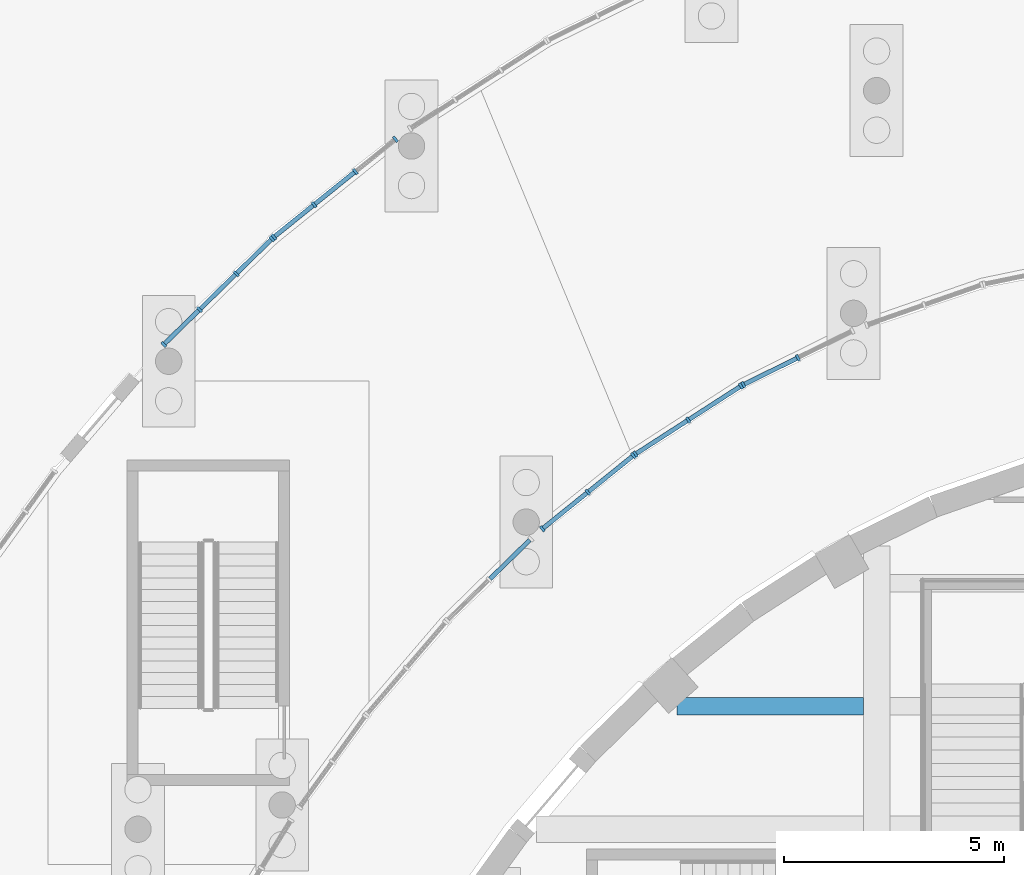
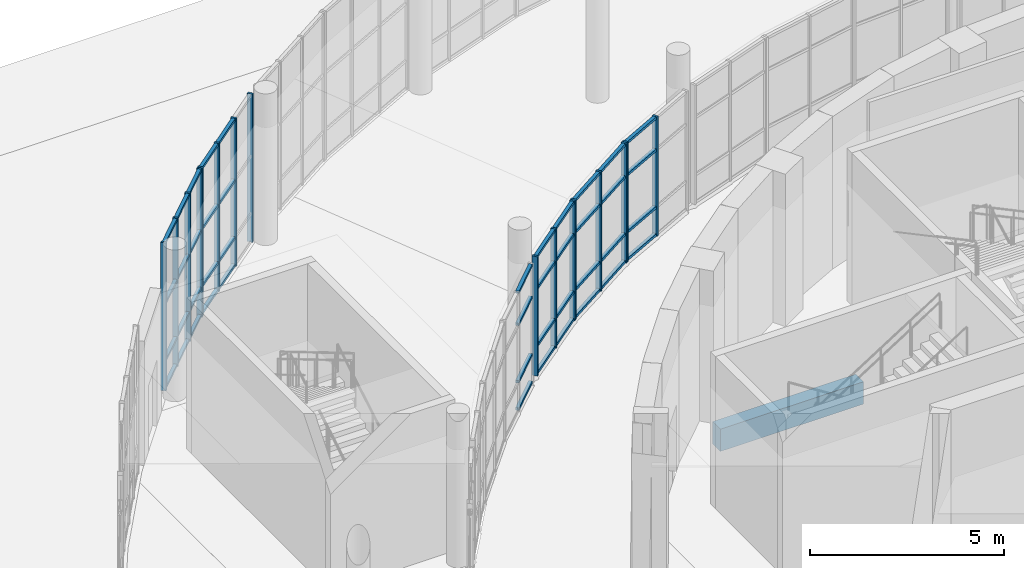
# One storey, part 29 of 110: 60 members, 1 beam, 6 elements without a shape of their own.
"""IFC4 building model written with IfcOpenShell, lengths in metres."""

from ifc_helpers import new_model, si_unit, direction, frame, origin, origin_2d, place, context, subcontext, project, spatial, rectangle, extrude, material, layer, layer_set, material_profile, profile_set, type_object, element, aggregate, save


model = new_model("IFC4")

# Units and contexts
model_context = context("Model", 3, precision=1e-05, world=origin(), true_north=direction((0.0, 1.0)))
body_context = subcontext(model_context, "Body", "Model", "MODEL_VIEW")
ifc_project = project(units=[si_unit("LENGTHUNIT", "METRE"), si_unit("AREAUNIT", "SQUARE_METRE"), si_unit("VOLUMEUNIT", "CUBIC_METRE"), si_unit("PLANEANGLEUNIT", "RADIAN"), si_unit("MASSUNIT", "GRAM", prefix="KILO")], contexts=[model_context])

# Site, building, storey
site_placement = place(None, origin())
site = spatial("IfcSite", under=ifc_project, at=site_placement, CompositionType="ELEMENT")
building_placement = place(site_placement, origin())
building = spatial("IfcBuilding", under=site, at=building_placement, Name="Larchfold Concert Hall", CompositionType="ELEMENT")
storey_placement = place(building_placement, origin())
storey = spatial("IfcBuildingStorey", under=building, at=storey_placement, Name="L00", CompositionType="ELEMENT", Elevation=0.0)

# Curtain wall, members
ifc_material_1 = material(Name="Anodised graphite aluminium curtain wall", Category="aluminium")
ifc_layer = layer(ifc_material_1, 0.14990234375)
ifc_layer_set = layer_set([ifc_layer], Name="Anodised graphite aluminium curtain wall")
curtain_wall_type = type_object("IfcCurtainWallType", Name="Curtain wall WG", PredefinedType="NOTDEFINED", material=ifc_layer_set)
curtain_wall_1_placement = place(storey_placement, origin())
curtain_wall_1 = element("IfcCurtainWall", 1, at=curtain_wall_1_placement, inside=storey, type_object=curtain_wall_type, Name="Curtain wall CW0084", PredefinedType="NOTDEFINED")
ifc_material_2 = material(Name="Anodised graphite aluminium mullion", Category="aluminium")
ifc_material_profile_1 = material_profile(ifc_material_2, rectangle(XDim=0.14990234375, YDim=0.06005859375, at=origin_2d()))
ifc_profile_set_1 = profile_set([ifc_material_profile_1], Name="Anodised graphite aluminium mullion")
member_type_1 = type_object("IfcMemberType", Name="Aluminium mullion 60x150", PredefinedType="MULLION", material=ifc_profile_set_1)
member_1_placement = place(storey_placement, frame((26.596435546875, 116.6328125, 0.0), z_axis=(0.0, 0.0, 1.0), x_axis=(-0.626938911007, 0.779068419245, 0.0)))
member_1 = element("IfcMember", 2, at=member_1_placement, type_object=member_type_1, Name="CW0084 mullion 1", PredefinedType="MULLION", context=body_context, shape_type="SweptSolid", body=[
    extrude(rectangle(XDim=0.14990234375, YDim=0.06005859375, at=origin_2d()), origin(), (0.0, 0.0, 1.0), 3.75),
])
member_2_placement = place(storey_placement, frame((27.63134765625, 117.465576171875, 0.0), z_axis=(0.0, 0.0, 1.0), x_axis=(-0.626938911007, 0.779068419245, 0.0)))
member_2 = element("IfcMember", 3, at=member_2_placement, type_object=member_type_1, Name="CW0084 mullion 2", PredefinedType="MULLION", context=body_context, shape_type="SweptSolid", body=[
    extrude(rectangle(XDim=0.14990234375, YDim=0.06005859375, at=origin_2d()), origin(), (0.0, 0.0, 1.0), 3.75),
])
member_3_placement = place(storey_placement, frame((28.666259765625, 118.298583984375, 0.0), z_axis=(0.0, 0.0, 1.0), x_axis=(-0.626938911007, 0.779068419245, 0.0)))
member_3 = element("IfcMember", 4, at=member_3_placement, type_object=member_type_1, Name="CW0084 mullion 3", PredefinedType="MULLION", context=body_context, shape_type="SweptSolid", body=[
    extrude(rectangle(XDim=0.14990234375, YDim=0.06005859375, at=origin_2d()), origin(), (0.0, 0.0, 1.0), 3.75),
])

curtain_wall_2_placement = place(storey_placement, origin())
curtain_wall_2 = element("IfcCurtainWall", 5, at=curtain_wall_2_placement, inside=storey, type_object=curtain_wall_type, Name="Curtain wall CW0085", PredefinedType="NOTDEFINED")
member_4_placement = place(storey_placement, frame((28.71484375, 118.333740234375, 0.0), z_axis=(0.0, 0.0, 1.0), x_axis=(-0.541844610619, 0.840478683813, 0.0)))
member_4 = element("IfcMember", 6, at=member_4_placement, type_object=member_type_1, Name="CW0085 mullion 1", PredefinedType="MULLION", context=body_context, shape_type="SweptSolid", body=[
    extrude(rectangle(XDim=0.14990234375, YDim=0.06005859375, at=origin_2d()), origin(), (0.0, 0.0, 1.0), 3.75),
])
member_5_placement = place(storey_placement, frame((29.915283203125, 119.107421875, 0.0), z_axis=(0.0, 0.0, 1.0), x_axis=(-0.541844610619, 0.840478683813, 0.0)))
member_5 = element("IfcMember", 7, at=member_5_placement, type_object=member_type_1, Name="CW0085 mullion 2", PredefinedType="MULLION", context=body_context, shape_type="SweptSolid", body=[
    extrude(rectangle(XDim=0.14990234375, YDim=0.06005859375, at=origin_2d()), origin(), (0.0, 0.0, 1.0), 3.75),
])
member_6_placement = place(storey_placement, frame((31.115478515625, 119.881103515625, 0.0), z_axis=(0.0, 0.0, 1.0), x_axis=(-0.541844610619, 0.840478683813, 0.0)))
member_6 = element("IfcMember", 8, at=member_6_placement, type_object=member_type_1, Name="CW0085 mullion 3", PredefinedType="MULLION", context=body_context, shape_type="SweptSolid", body=[
    extrude(rectangle(XDim=0.14990234375, YDim=0.06005859375, at=origin_2d()), origin(), (0.0, 0.0, 1.0), 3.75),
])

curtain_wall_3_placement = place(storey_placement, origin())
curtain_wall_3 = element("IfcCurtainWall", 9, at=curtain_wall_3_placement, inside=storey, type_object=curtain_wall_type, Name="Curtain wall CW0086", PredefinedType="NOTDEFINED")
member_7_placement = place(storey_placement, frame((31.16748046875, 119.91064453125, 0.0), z_axis=(0.0, 0.0, 1.0), x_axis=(-0.442304846598, 0.896864773907, 0.0)))
member_7 = element("IfcMember", 10, at=member_7_placement, type_object=member_type_1, Name="CW0086 mullion 1", PredefinedType="MULLION", context=body_context, shape_type="SweptSolid", body=[
    extrude(rectangle(XDim=0.14990234375, YDim=0.06005859375, at=origin_2d()), origin(), (0.0, 0.0, 1.0), 3.75),
])
member_8_placement = place(storey_placement, frame((32.4091796875, 120.52294921875, 0.0), z_axis=(0.0, 0.0, 1.0), x_axis=(-0.442304846598, 0.896864773907, 0.0)))
member_8 = element("IfcMember", 11, at=member_8_placement, type_object=member_type_1, Name="CW0086 mullion 2", PredefinedType="MULLION", context=body_context, shape_type="SweptSolid", body=[
    extrude(rectangle(XDim=0.14990234375, YDim=0.06005859375, at=origin_2d()), origin(), (0.0, 0.0, 1.0), 3.75),
])

curtain_wall_4_placement = place(storey_placement, origin())
curtain_wall_4 = element("IfcCurtainWall", 12, at=curtain_wall_4_placement, inside=storey, type_object=curtain_wall_type, Name="Curtain wall CW0106", PredefinedType="NOTDEFINED")
member_9_placement = place(storey_placement, frame((23.254150390625, 125.49560546875, 0.0), z_axis=(0.0, 0.0, 1.0), x_axis=(0.626986369334, -0.779030225774, 0.0)))
member_9 = element("IfcMember", 13, at=member_9_placement, type_object=member_type_1, Name="CW0106 mullion 1", PredefinedType="MULLION", context=body_context, shape_type="SweptSolid", body=[
    extrude(rectangle(XDim=0.14990234375, YDim=0.06005859375, at=origin_2d()), origin(), (0.0, 0.0, 1.0), 4.64990234375),
])
member_10_placement = place(storey_placement, frame((22.340576171875, 124.76025390625, 0.0), z_axis=(0.0, 0.0, 1.0), x_axis=(0.626986369334, -0.779030225774, 0.0)))
member_10 = element("IfcMember", 14, at=member_10_placement, type_object=member_type_1, Name="CW0106 mullion 2", PredefinedType="MULLION", context=body_context, shape_type="SweptSolid", body=[
    extrude(rectangle(XDim=0.14990234375, YDim=0.06005859375, at=origin_2d()), origin(), (0.0, 0.0, 1.0), 4.64990234375),
])
member_11_placement = place(storey_placement, frame((21.40380859375, 124.00634765625, 0.0), z_axis=(0.0, 0.0, 1.0), x_axis=(0.626986369334, -0.779030225774, 0.0)))
member_11 = element("IfcMember", 15, at=member_11_placement, type_object=member_type_1, Name="CW0106 mullion 3", PredefinedType="MULLION", context=body_context, shape_type="SweptSolid", body=[
    extrude(rectangle(XDim=0.14990234375, YDim=0.06005859375, at=origin_2d()), origin(), (0.0, 0.0, 1.0), 4.64990234375),
])
member_12_placement = place(storey_placement, frame((20.490234375, 123.27099609375, 0.0), z_axis=(0.0, 0.0, 1.0), x_axis=(0.626986369334, -0.779030225774, 0.0)))
member_12 = element("IfcMember", 16, at=member_12_placement, type_object=member_type_1, Name="CW0106 mullion 4", PredefinedType="MULLION", context=body_context, shape_type="SweptSolid", body=[
    extrude(rectangle(XDim=0.14990234375, YDim=0.06005859375, at=origin_2d()), origin(), (0.0, 0.0, 1.0), 4.64990234375),
])

curtain_wall_5_placement = place(storey_placement, origin())
curtain_wall_5 = element("IfcCurtainWall", 17, at=curtain_wall_5_placement, inside=storey, type_object=curtain_wall_type, Name="Curtain wall CW0107", PredefinedType="NOTDEFINED")
member_13_placement = place(storey_placement, frame((20.4453125, 123.231201171875, 0.0), z_axis=(0.0, 0.0, 1.0), x_axis=(0.699178664074, -0.714946988038, 0.0)))
member_13 = element("IfcMember", 18, at=member_13_placement, type_object=member_type_1, Name="CW0107 mullion 1", PredefinedType="MULLION", context=body_context, shape_type="SweptSolid", body=[
    extrude(rectangle(XDim=0.14990234375, YDim=0.06005859375, at=origin_2d()), origin(), (0.0, 0.0, 1.0), 4.64990234375),
])
member_14_placement = place(storey_placement, frame((19.6328125, 122.436767578125, 0.0), z_axis=(0.0, 0.0, 1.0), x_axis=(0.699178664074, -0.714946988038, 0.0)))
member_14 = element("IfcMember", 19, at=member_14_placement, type_object=member_type_1, Name="CW0107 mullion 2", PredefinedType="MULLION", context=body_context, shape_type="SweptSolid", body=[
    extrude(rectangle(XDim=0.14990234375, YDim=0.06005859375, at=origin_2d()), origin(), (0.0, 0.0, 1.0), 4.64990234375),
])
member_15_placement = place(storey_placement, frame((18.799072265625, 121.62109375, 0.0), z_axis=(0.0, 0.0, 1.0), x_axis=(0.699178664074, -0.714946988038, 0.0)))
member_15 = element("IfcMember", 20, at=member_15_placement, type_object=member_type_1, Name="CW0107 mullion 3", PredefinedType="MULLION", context=body_context, shape_type="SweptSolid", body=[
    extrude(rectangle(XDim=0.14990234375, YDim=0.06005859375, at=origin_2d()), origin(), (0.0, 0.0, 1.0), 4.64990234375),
])
member_16_placement = place(storey_placement, frame((17.986572265625, 120.82666015625, 0.0), z_axis=(0.0, 0.0, 1.0), x_axis=(0.699178664074, -0.714946988038, 0.0)))
member_16 = element("IfcMember", 21, at=member_16_placement, type_object=member_type_1, Name="CW0107 mullion 4", PredefinedType="MULLION", context=body_context, shape_type="SweptSolid", body=[
    extrude(rectangle(XDim=0.14990234375, YDim=0.06005859375, at=origin_2d()), origin(), (0.0, 0.0, 1.0), 4.64990234375),
])

curtain_wall_6_placement = place(storey_placement, origin())
curtain_wall_6 = element("IfcCurtainWall", 22, at=curtain_wall_6_placement, inside=storey, type_object=curtain_wall_type, Name="Curtain wall CW0083", PredefinedType="NOTDEFINED")
ifc_material_3 = material(Name="Anodised graphite aluminium transom", Category="aluminium")
ifc_material_profile_2 = material_profile(ifc_material_3, rectangle(XDim=0.10009765625, YDim=0.080078125, at=origin_2d()))
ifc_profile_set_2 = profile_set([ifc_material_profile_2], Name="Anodised graphite aluminium transom")
member_type_2 = type_object("IfcMemberType", Name="Aluminium transom 80x100", PredefinedType="USERDEFINED", material=ifc_profile_set_2)
member_17_placement = place(storey_placement, frame((25.408203125, 115.496337890625, 0.0400390625), z_axis=(0.714972379402, 0.699152699124, 0.0), x_axis=(-0.699152699124, 0.714972379402, 0.0)))
member_17 = element("IfcMember", 23, at=member_17_placement, type_object=member_type_2, Name="CW0083 transom 2.1", ObjectType="TRANSOM", PredefinedType="USERDEFINED", context=body_context, shape_type="SweptSolid", body=[
    extrude(rectangle(XDim=0.10009765625, YDim=0.080078125, at=origin_2d()), origin(), (0.0, 0.0, 1.0), 1.265380859375),
])
member_18_placement = place(storey_placement, frame((25.408203125, 115.496337890625, 0.89990234375), z_axis=(0.714972379402, 0.699152699124, 0.0), x_axis=(-0.699152699124, 0.714972379402, 0.0)))
member_18 = element("IfcMember", 24, at=member_18_placement, type_object=member_type_2, Name="CW0083 transom 2.2", ObjectType="TRANSOM", PredefinedType="USERDEFINED", context=body_context, shape_type="SweptSolid", body=[
    extrude(rectangle(XDim=0.10009765625, YDim=0.080078125, at=origin_2d()), origin(), (0.0, 0.0, 1.0), 1.265380859375),
])
member_19_placement = place(storey_placement, frame((25.408203125, 115.496337890625, 2.699951171875), z_axis=(0.714972379402, 0.699152699124, 0.0), x_axis=(-0.699152699124, 0.714972379402, 0.0)))
member_19 = element("IfcMember", 25, at=member_19_placement, type_object=member_type_2, Name="CW0083 transom 2.3", ObjectType="TRANSOM", PredefinedType="USERDEFINED", context=body_context, shape_type="SweptSolid", body=[
    extrude(rectangle(XDim=0.10009765625, YDim=0.080078125, at=origin_2d()), origin(), (0.0, 0.0, 1.0), 1.265380859375),
])
member_20_placement = place(storey_placement, frame((25.408203125, 115.496337890625, 3.7099609375), z_axis=(0.714972379402, 0.699152699124, 0.0), x_axis=(-0.699152699124, 0.714972379402, 0.0)))
member_20 = element("IfcMember", 26, at=member_20_placement, type_object=member_type_2, Name="CW0083 transom 2.4", ObjectType="TRANSOM", PredefinedType="USERDEFINED", context=body_context, shape_type="SweptSolid", body=[
    extrude(rectangle(XDim=0.10009765625, YDim=0.080078125, at=origin_2d()), origin(), (0.0, 0.0, 1.0), 1.265380859375),
])
aggregate(curtain_wall_6, [member_17, member_18, member_19, member_20])

# Member
member_21_placement = place(storey_placement, frame((26.61962890625, 116.651611328125, 0.0400390625), z_axis=(0.779119443181, 0.626875500603, 0.0), x_axis=(-0.626875500603, 0.779119443181, 0.0)))
member_21 = element("IfcMember", 27, at=member_21_placement, type_object=member_type_2, Name="CW0084 transom 1.1", ObjectType="TRANSOM", PredefinedType="USERDEFINED", context=body_context, shape_type="SweptSolid", body=[
    extrude(rectangle(XDim=0.10009765625, YDim=0.080078125, at=origin_2d()), origin(), (0.0, 0.0, 1.0), 1.2685546875),
])

member_22_placement = place(storey_placement, frame((26.61962890625, 116.651611328125, 0.89990234375), z_axis=(0.779119443181, 0.626875500603, 0.0), x_axis=(-0.626875500603, 0.779119443181, 0.0)))
member_22 = element("IfcMember", 28, at=member_22_placement, type_object=member_type_2, Name="CW0084 transom 1.2", ObjectType="TRANSOM", PredefinedType="USERDEFINED", context=body_context, shape_type="SweptSolid", body=[
    extrude(rectangle(XDim=0.10009765625, YDim=0.080078125, at=origin_2d()), origin(), (0.0, 0.0, 1.0), 1.2685546875),
])

member_23_placement = place(storey_placement, frame((26.61962890625, 116.651611328125, 2.699951171875), z_axis=(0.779119443181, 0.626875500603, 0.0), x_axis=(-0.626875500603, 0.779119443181, 0.0)))
member_23 = element("IfcMember", 29, at=member_23_placement, type_object=member_type_2, Name="CW0084 transom 1.3", ObjectType="TRANSOM", PredefinedType="USERDEFINED", context=body_context, shape_type="SweptSolid", body=[
    extrude(rectangle(XDim=0.10009765625, YDim=0.080078125, at=origin_2d()), origin(), (0.0, 0.0, 1.0), 1.2685546875),
])

member_24_placement = place(storey_placement, frame((26.61962890625, 116.651611328125, 3.7099609375), z_axis=(0.779119443181, 0.626875500603, 0.0), x_axis=(-0.626875500603, 0.779119443181, 0.0)))
member_24 = element("IfcMember", 30, at=member_24_placement, type_object=member_type_2, Name="CW0084 transom 1.4", ObjectType="TRANSOM", PredefinedType="USERDEFINED", context=body_context, shape_type="SweptSolid", body=[
    extrude(rectangle(XDim=0.10009765625, YDim=0.080078125, at=origin_2d()), origin(), (0.0, 0.0, 1.0), 1.2685546875),
])

member_25_placement = place(storey_placement, frame((27.65478515625, 117.484619140625, 0.0400390625), z_axis=(0.779119443181, 0.626875500603, 0.0), x_axis=(-0.626875500603, 0.779119443181, 0.0)))
member_25 = element("IfcMember", 31, at=member_25_placement, type_object=member_type_2, Name="CW0084 transom 2.1", ObjectType="TRANSOM", PredefinedType="USERDEFINED", context=body_context, shape_type="SweptSolid", body=[
    extrude(rectangle(XDim=0.10009765625, YDim=0.080078125, at=origin_2d()), origin(), (0.0, 0.0, 1.0), 1.2685546875),
])

member_26_placement = place(storey_placement, frame((27.65478515625, 117.484619140625, 0.89990234375), z_axis=(0.779119443181, 0.626875500603, 0.0), x_axis=(-0.626875500603, 0.779119443181, 0.0)))
member_26 = element("IfcMember", 32, at=member_26_placement, type_object=member_type_2, Name="CW0084 transom 2.2", ObjectType="TRANSOM", PredefinedType="USERDEFINED", context=body_context, shape_type="SweptSolid", body=[
    extrude(rectangle(XDim=0.10009765625, YDim=0.080078125, at=origin_2d()), origin(), (0.0, 0.0, 1.0), 1.2685546875),
])

member_27_placement = place(storey_placement, frame((27.65478515625, 117.484619140625, 2.699951171875), z_axis=(0.779119443181, 0.626875500603, 0.0), x_axis=(-0.626875500603, 0.779119443181, 0.0)))
member_27 = element("IfcMember", 33, at=member_27_placement, type_object=member_type_2, Name="CW0084 transom 2.3", ObjectType="TRANSOM", PredefinedType="USERDEFINED", context=body_context, shape_type="SweptSolid", body=[
    extrude(rectangle(XDim=0.10009765625, YDim=0.080078125, at=origin_2d()), origin(), (0.0, 0.0, 1.0), 1.2685546875),
])

member_28_placement = place(storey_placement, frame((27.65478515625, 117.484619140625, 3.7099609375), z_axis=(0.779119443181, 0.626875500603, 0.0), x_axis=(-0.626875500603, 0.779119443181, 0.0)))
member_28 = element("IfcMember", 34, at=member_28_placement, type_object=member_type_2, Name="CW0084 transom 2.4", ObjectType="TRANSOM", PredefinedType="USERDEFINED", context=body_context, shape_type="SweptSolid", body=[
    extrude(rectangle(XDim=0.10009765625, YDim=0.080078125, at=origin_2d()), origin(), (0.0, 0.0, 1.0), 1.2685546875),
])

aggregate(curtain_wall_1, [member_1, member_2, member_3, member_21, member_22, member_23, member_24, member_25, member_26, member_27, member_28])

member_29_placement = place(storey_placement, frame((28.740234375, 118.349853515625, 0.0400390625), z_axis=(0.840464466125, 0.541866663656, 0.0), x_axis=(-0.541866663656, 0.840464466125, 0.0)))
member_29 = element("IfcMember", 35, at=member_29_placement, type_object=member_type_2, Name="CW0085 transom 1.1", ObjectType="TRANSOM", PredefinedType="USERDEFINED", context=body_context, shape_type="SweptSolid", body=[
    extrude(rectangle(XDim=0.10009765625, YDim=0.080078125, at=origin_2d()), origin(), (0.0, 0.0, 1.0), 1.367919921875),
])

member_30_placement = place(storey_placement, frame((28.740234375, 118.349853515625, 0.89990234375), z_axis=(0.840464466125, 0.541866663656, 0.0), x_axis=(-0.541866663656, 0.840464466125, 0.0)))
member_30 = element("IfcMember", 36, at=member_30_placement, type_object=member_type_2, Name="CW0085 transom 1.2", ObjectType="TRANSOM", PredefinedType="USERDEFINED", context=body_context, shape_type="SweptSolid", body=[
    extrude(rectangle(XDim=0.10009765625, YDim=0.080078125, at=origin_2d()), origin(), (0.0, 0.0, 1.0), 1.367919921875),
])

member_31_placement = place(storey_placement, frame((28.740234375, 118.349853515625, 2.699951171875), z_axis=(0.840464466125, 0.541866663656, 0.0), x_axis=(-0.541866663656, 0.840464466125, 0.0)))
member_31 = element("IfcMember", 37, at=member_31_placement, type_object=member_type_2, Name="CW0085 transom 1.3", ObjectType="TRANSOM", PredefinedType="USERDEFINED", context=body_context, shape_type="SweptSolid", body=[
    extrude(rectangle(XDim=0.10009765625, YDim=0.080078125, at=origin_2d()), origin(), (0.0, 0.0, 1.0), 1.367919921875),
])

member_32_placement = place(storey_placement, frame((28.740234375, 118.349853515625, 3.7099609375), z_axis=(0.840464466125, 0.541866663656, 0.0), x_axis=(-0.541866663656, 0.840464466125, 0.0)))
member_32 = element("IfcMember", 38, at=member_32_placement, type_object=member_type_2, Name="CW0085 transom 1.4", ObjectType="TRANSOM", PredefinedType="USERDEFINED", context=body_context, shape_type="SweptSolid", body=[
    extrude(rectangle(XDim=0.10009765625, YDim=0.080078125, at=origin_2d()), origin(), (0.0, 0.0, 1.0), 1.367919921875),
])

member_33_placement = place(storey_placement, frame((29.9404296875, 119.123779296875, 0.0400390625), z_axis=(0.840464466125, 0.541866663656, 0.0), x_axis=(-0.541866663656, 0.840464466125, 0.0)))
member_33 = element("IfcMember", 39, at=member_33_placement, type_object=member_type_2, Name="CW0085 transom 2.1", ObjectType="TRANSOM", PredefinedType="USERDEFINED", context=body_context, shape_type="SweptSolid", body=[
    extrude(rectangle(XDim=0.10009765625, YDim=0.080078125, at=origin_2d()), origin(), (0.0, 0.0, 1.0), 1.367919921875),
])

member_34_placement = place(storey_placement, frame((29.9404296875, 119.123779296875, 0.89990234375), z_axis=(0.840464466125, 0.541866663656, 0.0), x_axis=(-0.541866663656, 0.840464466125, 0.0)))
member_34 = element("IfcMember", 40, at=member_34_placement, type_object=member_type_2, Name="CW0085 transom 2.2", ObjectType="TRANSOM", PredefinedType="USERDEFINED", context=body_context, shape_type="SweptSolid", body=[
    extrude(rectangle(XDim=0.10009765625, YDim=0.080078125, at=origin_2d()), origin(), (0.0, 0.0, 1.0), 1.367919921875),
])

member_35_placement = place(storey_placement, frame((29.9404296875, 119.123779296875, 2.699951171875), z_axis=(0.840464466125, 0.541866663656, 0.0), x_axis=(-0.541866663656, 0.840464466125, 0.0)))
member_35 = element("IfcMember", 41, at=member_35_placement, type_object=member_type_2, Name="CW0085 transom 2.3", ObjectType="TRANSOM", PredefinedType="USERDEFINED", context=body_context, shape_type="SweptSolid", body=[
    extrude(rectangle(XDim=0.10009765625, YDim=0.080078125, at=origin_2d()), origin(), (0.0, 0.0, 1.0), 1.367919921875),
])

member_36_placement = place(storey_placement, frame((29.9404296875, 119.123779296875, 3.7099609375), z_axis=(0.840464466125, 0.541866663656, 0.0), x_axis=(-0.541866663656, 0.840464466125, 0.0)))
member_36 = element("IfcMember", 42, at=member_36_placement, type_object=member_type_2, Name="CW0085 transom 2.4", ObjectType="TRANSOM", PredefinedType="USERDEFINED", context=body_context, shape_type="SweptSolid", body=[
    extrude(rectangle(XDim=0.10009765625, YDim=0.080078125, at=origin_2d()), origin(), (0.0, 0.0, 1.0), 1.367919921875),
])

aggregate(curtain_wall_2, [member_4, member_5, member_6, member_29, member_30, member_31, member_32, member_33, member_34, member_35, member_36])

member_37_placement = place(storey_placement, frame((31.1943359375, 119.924072265625, 0.0400390625), z_axis=(0.896919943894, 0.44219296042, 0.0), x_axis=(-0.44219296042, 0.896919943894, 0.0)))
member_37 = element("IfcMember", 43, at=member_37_placement, type_object=member_type_2, Name="CW0086 transom 1.1", ObjectType="TRANSOM", PredefinedType="USERDEFINED", context=body_context, shape_type="SweptSolid", body=[
    extrude(rectangle(XDim=0.10009765625, YDim=0.080078125, at=origin_2d()), origin(), (0.0, 0.0, 1.0), 1.324462890625),
])

member_38_placement = place(storey_placement, frame((31.1943359375, 119.924072265625, 0.89990234375), z_axis=(0.896919943894, 0.44219296042, 0.0), x_axis=(-0.44219296042, 0.896919943894, 0.0)))
member_38 = element("IfcMember", 44, at=member_38_placement, type_object=member_type_2, Name="CW0086 transom 1.2", ObjectType="TRANSOM", PredefinedType="USERDEFINED", context=body_context, shape_type="SweptSolid", body=[
    extrude(rectangle(XDim=0.10009765625, YDim=0.080078125, at=origin_2d()), origin(), (0.0, 0.0, 1.0), 1.324462890625),
])

member_39_placement = place(storey_placement, frame((31.1943359375, 119.924072265625, 2.699951171875), z_axis=(0.896919943894, 0.44219296042, 0.0), x_axis=(-0.44219296042, 0.896919943894, 0.0)))
member_39 = element("IfcMember", 45, at=member_39_placement, type_object=member_type_2, Name="CW0086 transom 1.3", ObjectType="TRANSOM", PredefinedType="USERDEFINED", context=body_context, shape_type="SweptSolid", body=[
    extrude(rectangle(XDim=0.10009765625, YDim=0.080078125, at=origin_2d()), origin(), (0.0, 0.0, 1.0), 1.324462890625),
])

member_40_placement = place(storey_placement, frame((31.1943359375, 119.924072265625, 3.7099609375), z_axis=(0.896919943894, 0.44219296042, 0.0), x_axis=(-0.44219296042, 0.896919943894, 0.0)))
member_40 = element("IfcMember", 46, at=member_40_placement, type_object=member_type_2, Name="CW0086 transom 1.4", ObjectType="TRANSOM", PredefinedType="USERDEFINED", context=body_context, shape_type="SweptSolid", body=[
    extrude(rectangle(XDim=0.10009765625, YDim=0.080078125, at=origin_2d()), origin(), (0.0, 0.0, 1.0), 1.324462890625),
])

aggregate(curtain_wall_3, [member_7, member_8, member_37, member_38, member_39, member_40])

member_41_placement = place(storey_placement, frame((22.3173828125, 124.741455078125, 0.0400390625), z_axis=(-0.779156741253, -0.626829141441, 0.0), x_axis=(0.626829141441, -0.779156741253, 0.0)))
member_41 = element("IfcMember", 47, at=member_41_placement, type_object=member_type_2, Name="CW0106 transom 2.1", ObjectType="TRANSOM", PredefinedType="USERDEFINED", context=body_context, shape_type="SweptSolid", body=[
    extrude(rectangle(XDim=0.10009765625, YDim=0.080078125, at=origin_2d()), origin(), (0.0, 0.0, 1.0), 1.142822265625),
])

member_42_placement = place(storey_placement, frame((22.3173828125, 124.741455078125, 0.89990234375), z_axis=(-0.779156741253, -0.626829141441, 0.0), x_axis=(0.626829141441, -0.779156741253, 0.0)))
member_42 = element("IfcMember", 48, at=member_42_placement, type_object=member_type_2, Name="CW0106 transom 2.2", ObjectType="TRANSOM", PredefinedType="USERDEFINED", context=body_context, shape_type="SweptSolid", body=[
    extrude(rectangle(XDim=0.10009765625, YDim=0.080078125, at=origin_2d()), origin(), (0.0, 0.0, 1.0), 1.142822265625),
])

member_43_placement = place(storey_placement, frame((22.3173828125, 124.741455078125, 2.699951171875), z_axis=(-0.779156741253, -0.626829141441, 0.0), x_axis=(0.626829141441, -0.779156741253, 0.0)))
member_43 = element("IfcMember", 49, at=member_43_placement, type_object=member_type_2, Name="CW0106 transom 2.3", ObjectType="TRANSOM", PredefinedType="USERDEFINED", context=body_context, shape_type="SweptSolid", body=[
    extrude(rectangle(XDim=0.10009765625, YDim=0.080078125, at=origin_2d()), origin(), (0.0, 0.0, 1.0), 1.142822265625),
])

member_44_placement = place(storey_placement, frame((22.3173828125, 124.741455078125, 4.60986328125), z_axis=(-0.779156741253, -0.626829141441, 0.0), x_axis=(0.626829141441, -0.779156741253, 0.0)))
member_44 = element("IfcMember", 50, at=member_44_placement, type_object=member_type_2, Name="CW0106 transom 2.4", ObjectType="TRANSOM", PredefinedType="USERDEFINED", context=body_context, shape_type="SweptSolid", body=[
    extrude(rectangle(XDim=0.10009765625, YDim=0.080078125, at=origin_2d()), origin(), (0.0, 0.0, 1.0), 1.142822265625),
])

member_45_placement = place(storey_placement, frame((21.38037109375, 123.987548828125, 0.0400390625), z_axis=(-0.779024752962, -0.626993169239, 0.0), x_axis=(0.626993169239, -0.779024752962, 0.0)))
member_45 = element("IfcMember", 51, at=member_45_placement, type_object=member_type_2, Name="CW0106 transom 3.1", ObjectType="TRANSOM", PredefinedType="USERDEFINED", context=body_context, shape_type="SweptSolid", body=[
    extrude(rectangle(XDim=0.10009765625, YDim=0.080078125, at=origin_2d()), origin(), (0.0, 0.0, 1.0), 1.11279296875),
])

member_46_placement = place(storey_placement, frame((21.38037109375, 123.987548828125, 0.89990234375), z_axis=(-0.779024752962, -0.626993169239, 0.0), x_axis=(0.626993169239, -0.779024752962, 0.0)))
member_46 = element("IfcMember", 52, at=member_46_placement, type_object=member_type_2, Name="CW0106 transom 3.2", ObjectType="TRANSOM", PredefinedType="USERDEFINED", context=body_context, shape_type="SweptSolid", body=[
    extrude(rectangle(XDim=0.10009765625, YDim=0.080078125, at=origin_2d()), origin(), (0.0, 0.0, 1.0), 1.11279296875),
])

member_47_placement = place(storey_placement, frame((21.38037109375, 123.987548828125, 2.699951171875), z_axis=(-0.779024752962, -0.626993169239, 0.0), x_axis=(0.626993169239, -0.779024752962, 0.0)))
member_47 = element("IfcMember", 53, at=member_47_placement, type_object=member_type_2, Name="CW0106 transom 3.3", ObjectType="TRANSOM", PredefinedType="USERDEFINED", context=body_context, shape_type="SweptSolid", body=[
    extrude(rectangle(XDim=0.10009765625, YDim=0.080078125, at=origin_2d()), origin(), (0.0, 0.0, 1.0), 1.11279296875),
])

member_48_placement = place(storey_placement, frame((21.38037109375, 123.987548828125, 4.60986328125), z_axis=(-0.779024752962, -0.626993169239, 0.0), x_axis=(0.626993169239, -0.779024752962, 0.0)))
member_48 = element("IfcMember", 54, at=member_48_placement, type_object=member_type_2, Name="CW0106 transom 3.4", ObjectType="TRANSOM", PredefinedType="USERDEFINED", context=body_context, shape_type="SweptSolid", body=[
    extrude(rectangle(XDim=0.10009765625, YDim=0.080078125, at=origin_2d()), origin(), (0.0, 0.0, 1.0), 1.11279296875),
])

aggregate(curtain_wall_4, [member_9, member_10, member_11, member_12, member_41, member_42, member_43, member_44, member_45, member_46, member_47, member_48])

member_49_placement = place(storey_placement, frame((20.423828125, 123.210205078125, 0.0400390625), z_axis=(-0.715001629364, -0.699122786073, 0.0), x_axis=(0.699122786073, -0.715001629364, 0.0)))
member_49 = element("IfcMember", 55, at=member_49_placement, type_object=member_type_2, Name="CW0107 transom 1.1", ObjectType="TRANSOM", PredefinedType="USERDEFINED", context=body_context, shape_type="SweptSolid", body=[
    extrude(rectangle(XDim=0.10009765625, YDim=0.080078125, at=origin_2d()), origin(), (0.0, 0.0, 1.0), 1.076171875),
])

member_50_placement = place(storey_placement, frame((20.423828125, 123.210205078125, 0.89990234375), z_axis=(-0.715001629364, -0.699122786073, 0.0), x_axis=(0.699122786073, -0.715001629364, 0.0)))
member_50 = element("IfcMember", 56, at=member_50_placement, type_object=member_type_2, Name="CW0107 transom 1.2", ObjectType="TRANSOM", PredefinedType="USERDEFINED", context=body_context, shape_type="SweptSolid", body=[
    extrude(rectangle(XDim=0.10009765625, YDim=0.080078125, at=origin_2d()), origin(), (0.0, 0.0, 1.0), 1.076171875),
])

member_51_placement = place(storey_placement, frame((20.423828125, 123.210205078125, 2.699951171875), z_axis=(-0.715001629364, -0.699122786073, 0.0), x_axis=(0.699122786073, -0.715001629364, 0.0)))
member_51 = element("IfcMember", 57, at=member_51_placement, type_object=member_type_2, Name="CW0107 transom 1.3", ObjectType="TRANSOM", PredefinedType="USERDEFINED", context=body_context, shape_type="SweptSolid", body=[
    extrude(rectangle(XDim=0.10009765625, YDim=0.080078125, at=origin_2d()), origin(), (0.0, 0.0, 1.0), 1.076171875),
])

member_52_placement = place(storey_placement, frame((20.423828125, 123.210205078125, 4.60986328125), z_axis=(-0.715001629364, -0.699122786073, 0.0), x_axis=(0.699122786073, -0.715001629364, 0.0)))
member_52 = element("IfcMember", 58, at=member_52_placement, type_object=member_type_2, Name="CW0107 transom 1.4", ObjectType="TRANSOM", PredefinedType="USERDEFINED", context=body_context, shape_type="SweptSolid", body=[
    extrude(rectangle(XDim=0.10009765625, YDim=0.080078125, at=origin_2d()), origin(), (0.0, 0.0, 1.0), 1.076171875),
])

member_53_placement = place(storey_placement, frame((19.611328125, 122.415771484375, 0.0400390625), z_axis=(-0.714788459478, -0.699340731116, 0.0), x_axis=(0.699340731116, -0.714788459478, 0.0)))
member_53 = element("IfcMember", 59, at=member_53_placement, type_object=member_type_2, Name="CW0107 transom 2.1", ObjectType="TRANSOM", PredefinedType="USERDEFINED", context=body_context, shape_type="SweptSolid", body=[
    extrude(rectangle(XDim=0.10009765625, YDim=0.080078125, at=origin_2d()), origin(), (0.0, 0.0, 1.0), 1.106201171875),
])

member_54_placement = place(storey_placement, frame((19.611328125, 122.415771484375, 0.89990234375), z_axis=(-0.714788459478, -0.699340731116, 0.0), x_axis=(0.699340731116, -0.714788459478, 0.0)))
member_54 = element("IfcMember", 60, at=member_54_placement, type_object=member_type_2, Name="CW0107 transom 2.2", ObjectType="TRANSOM", PredefinedType="USERDEFINED", context=body_context, shape_type="SweptSolid", body=[
    extrude(rectangle(XDim=0.10009765625, YDim=0.080078125, at=origin_2d()), origin(), (0.0, 0.0, 1.0), 1.106201171875),
])

member_55_placement = place(storey_placement, frame((19.611328125, 122.415771484375, 2.699951171875), z_axis=(-0.714788459478, -0.699340731116, 0.0), x_axis=(0.699340731116, -0.714788459478, 0.0)))
member_55 = element("IfcMember", 61, at=member_55_placement, type_object=member_type_2, Name="CW0107 transom 2.3", ObjectType="TRANSOM", PredefinedType="USERDEFINED", context=body_context, shape_type="SweptSolid", body=[
    extrude(rectangle(XDim=0.10009765625, YDim=0.080078125, at=origin_2d()), origin(), (0.0, 0.0, 1.0), 1.106201171875),
])

member_56_placement = place(storey_placement, frame((19.611328125, 122.415771484375, 4.60986328125), z_axis=(-0.714788459478, -0.699340731116, 0.0), x_axis=(0.699340731116, -0.714788459478, 0.0)))
member_56 = element("IfcMember", 62, at=member_56_placement, type_object=member_type_2, Name="CW0107 transom 2.4", ObjectType="TRANSOM", PredefinedType="USERDEFINED", context=body_context, shape_type="SweptSolid", body=[
    extrude(rectangle(XDim=0.10009765625, YDim=0.080078125, at=origin_2d()), origin(), (0.0, 0.0, 1.0), 1.106201171875),
])

member_57_placement = place(storey_placement, frame((18.777587890625, 121.60009765625, 0.0400390625), z_axis=(-0.715001629364, -0.699122786073, 0.0), x_axis=(0.699122786073, -0.715001629364, 0.0)))
member_57 = element("IfcMember", 63, at=member_57_placement, type_object=member_type_2, Name="CW0107 transom 3.1", ObjectType="TRANSOM", PredefinedType="USERDEFINED", context=body_context, shape_type="SweptSolid", body=[
    extrude(rectangle(XDim=0.10009765625, YDim=0.080078125, at=origin_2d()), origin(), (0.0, 0.0, 1.0), 1.076171875),
])

member_58_placement = place(storey_placement, frame((18.777587890625, 121.60009765625, 0.89990234375), z_axis=(-0.715001629364, -0.699122786073, 0.0), x_axis=(0.699122786073, -0.715001629364, 0.0)))
member_58 = element("IfcMember", 64, at=member_58_placement, type_object=member_type_2, Name="CW0107 transom 3.2", ObjectType="TRANSOM", PredefinedType="USERDEFINED", context=body_context, shape_type="SweptSolid", body=[
    extrude(rectangle(XDim=0.10009765625, YDim=0.080078125, at=origin_2d()), origin(), (0.0, 0.0, 1.0), 1.076171875),
])

member_59_placement = place(storey_placement, frame((18.777587890625, 121.60009765625, 2.699951171875), z_axis=(-0.715001629364, -0.699122786073, 0.0), x_axis=(0.699122786073, -0.715001629364, 0.0)))
member_59 = element("IfcMember", 65, at=member_59_placement, type_object=member_type_2, Name="CW0107 transom 3.3", ObjectType="TRANSOM", PredefinedType="USERDEFINED", context=body_context, shape_type="SweptSolid", body=[
    extrude(rectangle(XDim=0.10009765625, YDim=0.080078125, at=origin_2d()), origin(), (0.0, 0.0, 1.0), 1.076171875),
])

member_60_placement = place(storey_placement, frame((18.777587890625, 121.60009765625, 4.60986328125), z_axis=(-0.715001629364, -0.699122786073, 0.0), x_axis=(0.699122786073, -0.715001629364, 0.0)))
member_60 = element("IfcMember", 66, at=member_60_placement, type_object=member_type_2, Name="CW0107 transom 3.4", ObjectType="TRANSOM", PredefinedType="USERDEFINED", context=body_context, shape_type="SweptSolid", body=[
    extrude(rectangle(XDim=0.10009765625, YDim=0.080078125, at=origin_2d()), origin(), (0.0, 0.0, 1.0), 1.076171875),
])

aggregate(curtain_wall_5, [member_13, member_14, member_15, member_16, member_49, member_50, member_51, member_52, member_53, member_54, member_55, member_56, member_57, member_58, member_59, member_60])

# Beam
ifc_material_4 = material(Name="Concrete C35/45", Category="concrete")
ifc_material_profile_3 = material_profile(ifc_material_4, rectangle(XDim=0.39990234375, YDim=0.699951171875, at=origin_2d()))
ifc_profile_set_3 = profile_set([ifc_material_profile_3], Name="Concrete C35/45")
beam_type = type_object("IfcBeamType", Name="Beam RC 400x700", PredefinedType="BEAM", material=ifc_profile_set_3)
beam_placement = place(storey_placement, frame((29.65478515625, 112.60009765625, -0.550048828125), z_axis=(1.0, 0.0, 0.0), x_axis=(0.0, 1.0, 0.0)))
element("IfcBeam", 67, at=beam_placement, inside=storey, type_object=beam_type, Name="Beam B1177", PredefinedType="BEAM", context=body_context, shape_type="SweptSolid", body=[
    extrude(rectangle(XDim=0.39990234375, YDim=0.699951171875, at=origin_2d()), origin(), (0.0, 0.0, 1.0), 4.2451171875),
])

save(model, "model.ifc")
